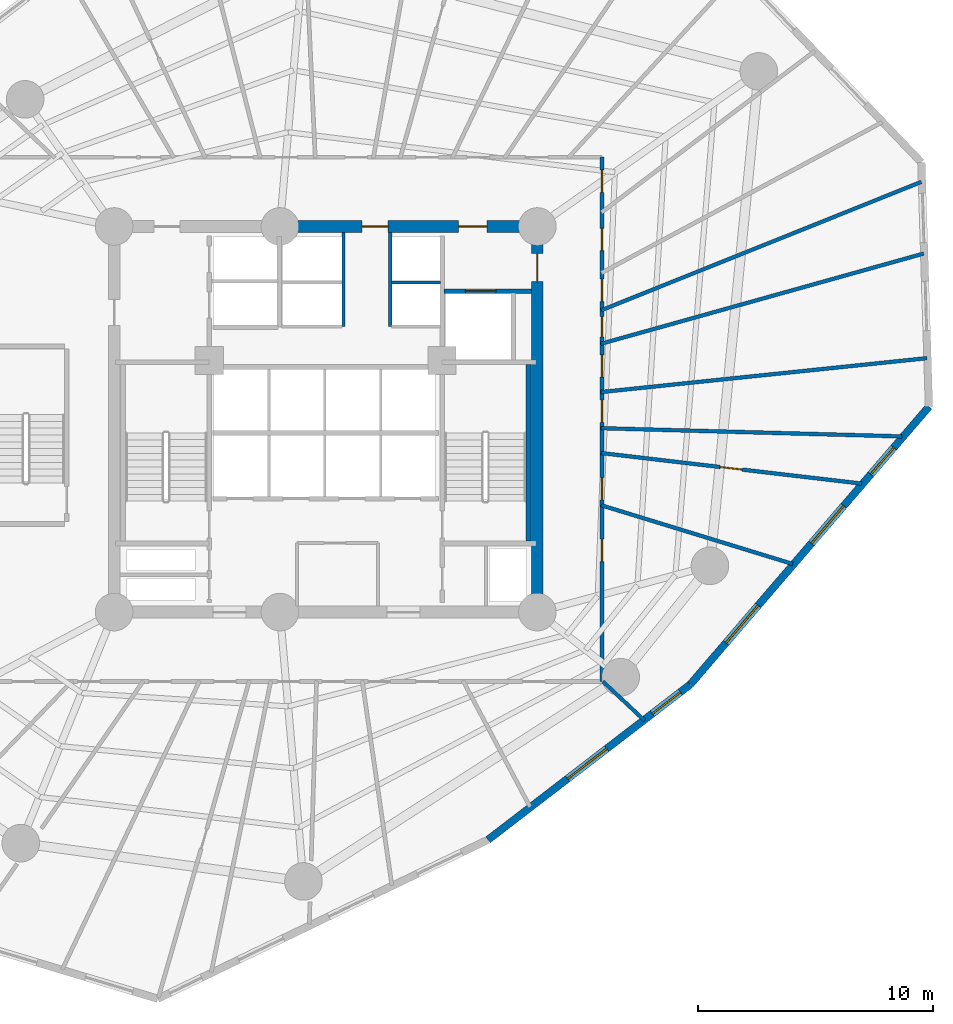
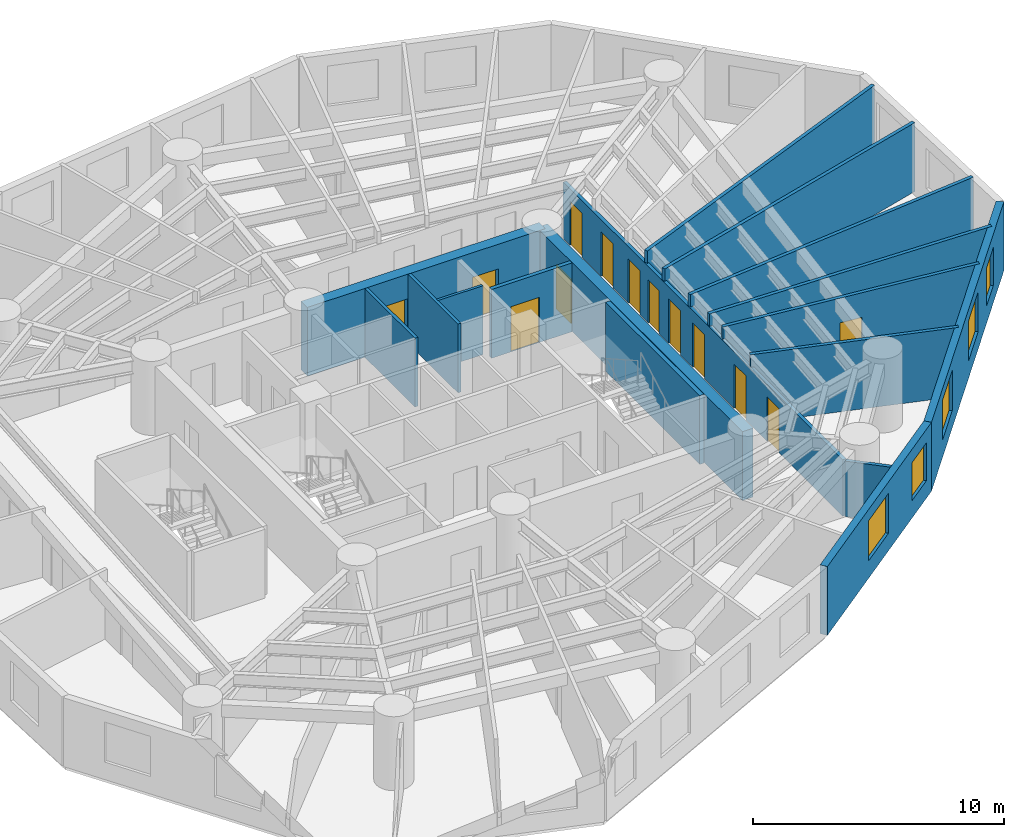
# One storey, part 5 of 8: 17 walls, 13 doors, 5 windows, 18 openings.
"""IFC4 building model written with IfcOpenShell, lengths in metres."""

from ifc_helpers import new_model, si_unit, direction, frame, frame_2d, origin, origin_with_axes, place, context, subcontext, project, spatial, rectangle, extrude, source, transform, mapped, material, layer, layer_set, type_object, element, fill, save


model = new_model("IFC4")

# Units and contexts
model_context = context("Model", 3, precision=1e-05, world=origin(), true_north=direction((0.0, 1.0)))
body_context = subcontext(model_context, "Body", "Model", "MODEL_VIEW")
ifc_project = project(units=[si_unit("LENGTHUNIT", "METRE"), si_unit("AREAUNIT", "SQUARE_METRE"), si_unit("VOLUMEUNIT", "CUBIC_METRE"), si_unit("PLANEANGLEUNIT", "RADIAN"), si_unit("MASSUNIT", "GRAM", prefix="KILO")], contexts=[model_context])

# Site, building, storey
site_placement = place(None, origin())
site = spatial("IfcSite", under=ifc_project, at=site_placement, CompositionType="ELEMENT")
building_placement = place(site_placement, origin())
building = spatial("IfcBuilding", under=site, at=building_placement, Name="Karkom Vertical University and Central Library", CompositionType="ELEMENT")
storey_placement = place(building_placement, frame((0.0, 0.0, 51.699951171875)))
storey = spatial("IfcBuildingStorey", under=building, at=storey_placement, Name="L13", CompositionType="ELEMENT", Elevation=51.699951171875)

# Wall, openings, windows
ifc_material_1 = material(Name="Brick-faced precast concrete C45/55", Category="masonry")
ifc_layer_1 = layer(ifc_material_1, 0.320068359375)
ifc_layer_set_1 = layer_set([ifc_layer_1], Name="Brick-faced precast concrete C45/55")
wall_type_1 = type_object("IfcWallType", Name="ENV-WL-BRK-320", PredefinedType="SOLIDWALL", material=ifc_layer_set_1)
wall_1_placement = place(storey_placement, frame((35.402099609375, 8.61181640625, 0.0), z_axis=(0.0, 0.0, 1.0), x_axis=(0.793135255116, 0.609045537783, 0.0)))
wall_1 = element("IfcWall", 1, at=wall_1_placement, inside=storey, type_object=wall_type_1, Name="Level 13 Brick-Faced Precast Facade Wall 07", PredefinedType="SOLIDWALL", context=body_context, shape_type="SweptSolid", body=[
    extrude(rectangle(XDim=10.84033203125, YDim=0.320068359375, at=frame_2d((5.420166015625, 0.0))), origin(), (0.0, 0.0, 1.0), 3.35009765625),
])
opening_1_placement = place(wall_1_placement, frame((4.267578125, 0.0, 0.85009765625)))
opening_1 = element("IfcOpeningElement", 2, at=opening_1_placement, cuts=wall_1, Name="Opening WN-03", PredefinedType="OPENING", context=body_context, shape_type="SweptSolid", body=[
    extrude(rectangle(XDim=2.10009765625, YDim=1.949951171875, at=frame_2d((1.050048828125, 0.97509765625))), frame((0.0, 0.169921875, 0.0), z_axis=(0.0, -1.0, 0.0), x_axis=(1.0, 0.0, 0.0)), (0.0, 0.0, 1.0), 0.340087890625),
])
opening_2_placement = place(wall_1_placement, frame((8.818359375, 0.0, 0.85009765625)))
opening_2 = element("IfcOpeningElement", 3, at=opening_2_placement, cuts=wall_1, Name="Opening WN-05", PredefinedType="OPENING", context=body_context, shape_type="SweptSolid", body=[
    extrude(rectangle(XDim=1.5, YDim=1.85009765625, at=frame_2d((0.75, 0.925048828125))), frame((0.0, 0.169921875, 0.0), z_axis=(0.0, -1.0, 0.0), x_axis=(1.0, 0.0, 0.0)), (0.0, 0.0, 1.0), 0.340087890625),
])
ifc_material_2 = material(Name="Aluminium thermal-break frame with solar-control IGU", Category="aluminium")
window_type_1 = type_object("IfcWindowType", Name="ENV-WIN-WN-03", PartitioningType="SINGLE_PANEL", PredefinedType="WINDOW", material=ifc_material_2)
shared_shape_1 = source(origin_with_axes(), body_context, "Body", "SweptSolid", [
    extrude(rectangle(XDim=2.10009765625, YDim=1.949951171875, at=frame_2d((1.050048828125, 0.97509765625))), frame((0.0, 0.030029296875, 0.0), z_axis=(0.0, -1.0, 0.0), x_axis=(1.0, 0.0, 0.0)), (0.0, 0.0, 1.0), 0.06005859375),
])
window_1_placement = place(opening_1_placement, origin())
window_1 = element("IfcWindow", 4, at=window_1_placement, inside=storey, type_object=window_type_1, Name="Level 13 Punched Window 7.1", OverallHeight=1.949951171875, OverallWidth=2.10009765625, PartitioningType="SINGLE_PANEL", PredefinedType="WINDOW", context=body_context, shape_type="MappedRepresentation", body=[
    mapped(shared_shape_1, transform((0.0, 0.0, 0.0), scale=1.0)),
])
fill(opening_1, window_1)
window_type_2 = type_object("IfcWindowType", Name="ENV-WIN-WN-05", PartitioningType="SINGLE_PANEL", PredefinedType="WINDOW", material=ifc_material_2)
shared_shape_2 = source(origin_with_axes(), body_context, "Body", "SweptSolid", [
    extrude(rectangle(XDim=1.5, YDim=1.85009765625, at=frame_2d((0.75, 0.925048828125))), frame((0.0, 0.030029296875, 0.0), z_axis=(0.0, -1.0, 0.0), x_axis=(1.0, 0.0, 0.0)), (0.0, 0.0, 1.0), 0.06005859375),
])
window_2_placement = place(opening_2_placement, origin())
window_2 = element("IfcWindow", 5, at=window_2_placement, inside=storey, type_object=window_type_2, Name="Level 13 Punched Window 7.2", OverallHeight=1.85009765625, OverallWidth=1.5, PartitioningType="SINGLE_PANEL", PredefinedType="WINDOW", context=body_context, shape_type="MappedRepresentation", body=[
    mapped(shared_shape_2, transform((0.0, 0.0, 0.0), scale=1.0)),
])
fill(opening_2, window_2)

wall_2_placement = place(storey_placement, frame((44.0, 15.214111328125, 0.0), z_axis=(0.0, 0.0, 1.0), x_axis=(0.651643439816, 0.758525429596, 0.0)))
wall_2 = element("IfcWall", 6, at=wall_2_placement, inside=storey, type_object=wall_type_1, Name="Level 13 Brick-Faced Precast Facade Wall 08", PredefinedType="SOLIDWALL", context=body_context, shape_type="SweptSolid", body=[
    extrude(rectangle(XDim=15.589599609375, YDim=0.320068359375, at=frame_2d((7.794921875, 0.0))), origin(), (0.0, 0.0, 1.0), 3.35009765625),
])
opening_3_placement = place(wall_2_placement, frame((2.341552734375, 0.0, 0.85009765625)))
opening_3 = element("IfcOpeningElement", 7, at=opening_3_placement, cuts=wall_2, Name="Opening WN-03", PredefinedType="OPENING", context=body_context, shape_type="SweptSolid", body=[
    extrude(rectangle(XDim=2.10009765625, YDim=1.949951171875, at=frame_2d((1.050048828125, 0.97509765625))), frame((0.0, 0.169921875, 0.0), z_axis=(0.0, -1.0, 0.0), x_axis=(1.0, 0.0, 0.0)), (0.0, 0.0, 1.0), 0.340087890625),
])
opening_4_placement = place(wall_2_placement, frame((7.921875, 0.0, 0.85009765625)))
opening_4 = element("IfcOpeningElement", 8, at=opening_4_placement, cuts=wall_2, Name="Opening WN-03", PredefinedType="OPENING", context=body_context, shape_type="SweptSolid", body=[
    extrude(rectangle(XDim=2.10009765625, YDim=1.949951171875, at=frame_2d((1.050048828125, 0.97509765625))), frame((0.0, 0.169921875, 0.0), z_axis=(0.0, -1.0, 0.0), x_axis=(1.0, 0.0, 0.0)), (0.0, 0.0, 1.0), 0.340087890625),
])
opening_5_placement = place(wall_2_placement, frame((11.791748046875, 0.0, 0.85009765625)))
opening_5 = element("IfcOpeningElement", 9, at=opening_5_placement, cuts=wall_2, Name="Opening WN-05", PredefinedType="OPENING", context=body_context, shape_type="SweptSolid", body=[
    extrude(rectangle(XDim=1.5, YDim=1.85009765625, at=frame_2d((0.75, 0.925048828125))), frame((0.0, 0.169921875, 0.0), z_axis=(0.0, -1.0, 0.0), x_axis=(1.0, 0.0, 0.0)), (0.0, 0.0, 1.0), 0.340087890625),
])
window_3_placement = place(opening_3_placement, origin())
window_3 = element("IfcWindow", 10, at=window_3_placement, inside=storey, type_object=window_type_1, Name="Level 13 Punched Window 8.1", OverallHeight=1.949951171875, OverallWidth=2.10009765625, PartitioningType="SINGLE_PANEL", PredefinedType="WINDOW", context=body_context, shape_type="MappedRepresentation", body=[
    mapped(shared_shape_1, transform((0.0, 0.0, 0.0), scale=1.0)),
])
fill(opening_3, window_3)
window_4_placement = place(opening_4_placement, origin())
window_4 = element("IfcWindow", 11, at=window_4_placement, inside=storey, type_object=window_type_1, Name="Level 13 Punched Window 8.2", OverallHeight=1.949951171875, OverallWidth=2.10009765625, PartitioningType="SINGLE_PANEL", PredefinedType="WINDOW", context=body_context, shape_type="MappedRepresentation", body=[
    mapped(shared_shape_1, transform((0.0, 0.0, 0.0), scale=1.0)),
])
fill(opening_4, window_4)
window_5_placement = place(opening_5_placement, origin())
window_5 = element("IfcWindow", 12, at=window_5_placement, inside=storey, type_object=window_type_2, Name="Level 13 Punched Window 8.3", OverallHeight=1.85009765625, OverallWidth=1.5, PartitioningType="SINGLE_PANEL", PredefinedType="WINDOW", context=body_context, shape_type="MappedRepresentation", body=[
    mapped(shared_shape_2, transform((0.0, 0.0, 0.0), scale=1.0)),
])
fill(opening_5, window_5)

# Wall, openings, doors
ifc_material_3 = material(Name="Insulated metal-stud drywall 160mm", Category="gypsum")
ifc_layer_2 = layer(ifc_material_3, 0.159912109375)
ifc_layer_set_2 = layer_set([ifc_layer_2], Name="Insulated metal-stud drywall 160mm")
wall_type_2 = type_object("IfcWallType", Name="INT-WL-COR-160", PredefinedType="PARTITIONING", material=ifc_layer_set_2)
wall_3_placement = place(storey_placement, frame((40.25, 37.64990234375, 0.0), z_axis=(0.0, 0.0, 1.0), x_axis=(0.0, -1.0, 0.0)))
wall_3 = element("IfcWall", 13, at=wall_3_placement, inside=storey, type_object=wall_type_2, Name="Level 13 Interior Partition Wall L13-CORW-CW-004", PredefinedType="PARTITIONING", context=body_context, shape_type="SweptSolid", body=[
    extrude(rectangle(XDim=22.2998046875, YDim=0.159912109375, at=frame_2d((11.14990234375, 0.0))), origin(), (0.0, 0.0, 1.0), 2.75),
])
opening_6_placement = place(wall_3_placement, frame((16.25, 0.0, 0.0)))
opening_6 = element("IfcOpeningElement", 14, at=opening_6_placement, cuts=wall_3, Name="Opening D-RM1", PredefinedType="OPENING", context=body_context, shape_type="SweptSolid", body=[
    extrude(rectangle(XDim=0.949951171875, YDim=2.14990234375, at=frame_2d((0.47509765625, 1.074951171875))), frame((0.0, 0.08984375, 0.0), z_axis=(0.0, -1.0, 0.0), x_axis=(1.0, 0.0, 0.0)), (0.0, 0.0, 1.0), 0.179931640625),
])
opening_7_placement = place(wall_3_placement, frame((13.6298828125, 0.0, 0.0)))
opening_7 = element("IfcOpeningElement", 15, at=opening_7_placement, cuts=wall_3, Name="Opening D-RM1", PredefinedType="OPENING", context=body_context, shape_type="SweptSolid", body=[
    extrude(rectangle(XDim=0.949951171875, YDim=2.14990234375, at=frame_2d((0.47509765625, 1.074951171875))), frame((0.0, 0.08984375, 0.0), z_axis=(0.0, -1.0, 0.0), x_axis=(1.0, 0.0, 0.0)), (0.0, 0.0, 1.0), 0.179931640625),
])
opening_8_placement = place(wall_3_placement, frame((10.3349609375, 0.0, 0.0)))
opening_8 = element("IfcOpeningElement", 16, at=opening_8_placement, cuts=wall_3, Name="Opening D-RM1", PredefinedType="OPENING", context=body_context, shape_type="SweptSolid", body=[
    extrude(rectangle(XDim=0.949951171875, YDim=2.14990234375, at=frame_2d((0.47509765625, 1.074951171875))), frame((0.0, 0.08984375, 0.0), z_axis=(0.0, -1.0, 0.0), x_axis=(1.0, 0.0, 0.0)), (0.0, 0.0, 1.0), 0.179931640625),
])
opening_9_placement = place(wall_3_placement, frame((8.40673828125, 0.0, 0.0)))
opening_9 = element("IfcOpeningElement", 17, at=opening_9_placement, cuts=wall_3, Name="Opening D-RM1", PredefinedType="OPENING", context=body_context, shape_type="SweptSolid", body=[
    extrude(rectangle(XDim=0.949951171875, YDim=2.14990234375, at=frame_2d((0.47509765625, 1.074951171875))), frame((0.0, 0.08984375, 0.0), z_axis=(0.0, -1.0, 0.0), x_axis=(1.0, 0.0, 0.0)), (0.0, 0.0, 1.0), 0.179931640625),
])
opening_10_placement = place(wall_3_placement, frame((6.78466796875, 0.0, 0.0)))
opening_10 = element("IfcOpeningElement", 18, at=opening_10_placement, cuts=wall_3, Name="Opening D-BATH", PredefinedType="OPENING", context=body_context, shape_type="SweptSolid", body=[
    extrude(rectangle(XDim=0.860107421875, YDim=2.10009765625, at=frame_2d((0.43017578125, 1.050048828125))), frame((0.0, 0.08984375, 0.0), z_axis=(0.0, -1.0, 0.0), x_axis=(1.0, 0.0, 0.0)), (0.0, 0.0, 1.0), 0.179931640625),
])
opening_11_placement = place(wall_3_placement, frame((5.18994140625, 0.0, 0.0)))
opening_11 = element("IfcOpeningElement", 19, at=opening_11_placement, cuts=wall_3, Name="Opening D-RM1", PredefinedType="OPENING", context=body_context, shape_type="SweptSolid", body=[
    extrude(rectangle(XDim=0.949951171875, YDim=2.14990234375, at=frame_2d((0.47509765625, 1.074951171875))), frame((0.0, 0.08984375, 0.0), z_axis=(0.0, -1.0, 0.0), x_axis=(1.0, 0.0, 0.0)), (0.0, 0.0, 1.0), 0.179931640625),
])
opening_12_placement = place(wall_3_placement, frame((3.028076171875, 0.0, 0.0)))
opening_12 = element("IfcOpeningElement", 20, at=opening_12_placement, cuts=wall_3, Name="Opening D-RM1", PredefinedType="OPENING", context=body_context, shape_type="SweptSolid", body=[
    extrude(rectangle(XDim=0.949951171875, YDim=2.14990234375, at=frame_2d((0.47509765625, 1.074951171875))), frame((0.0, 0.08984375, 0.0), z_axis=(0.0, -1.0, 0.0), x_axis=(1.0, 0.0, 0.0)), (0.0, 0.0, 1.0), 0.179931640625),
])
opening_13_placement = place(wall_3_placement, frame((0.546630859375, 0.0, 0.0)))
opening_13 = element("IfcOpeningElement", 21, at=opening_13_placement, cuts=wall_3, Name="Opening D-RM1", PredefinedType="OPENING", context=body_context, shape_type="SweptSolid", body=[
    extrude(rectangle(XDim=0.949951171875, YDim=2.14990234375, at=frame_2d((0.47509765625, 1.074951171875))), frame((0.0, 0.08984375, 0.0), z_axis=(0.0, -1.0, 0.0), x_axis=(1.0, 0.0, 0.0)), (0.0, 0.0, 1.0), 0.179931640625),
])
ifc_material_4 = material(Name="Moisture-resistant oak door", Category="wood")
door_type_1 = type_object("IfcDoorType", Name="INT-DR-BATH", OperationType="NOTDEFINED", PredefinedType="DOOR", material=ifc_material_4)
shared_shape_3 = source(origin_with_axes(), body_context, "Body", "SweptSolid", [
    extrude(rectangle(XDim=0.860107421875, YDim=2.10009765625, at=frame_2d((0.43017578125, 1.050048828125))), frame((0.0, 0.02490234375, 0.0), z_axis=(0.0, -1.0, 0.0), x_axis=(1.0, 0.0, 0.0)), (0.0, 0.0, 1.0), 0.050048828125),
])
door_1_placement = place(opening_10_placement, origin())
door_1 = element("IfcDoor", 22, at=door_1_placement, inside=storey, type_object=door_type_1, Name="Level 13 Room Entry Door 160", OperationType="SINGLE_SWING_RIGHT", OverallHeight=2.10009765625, OverallWidth=0.860107421875, PredefinedType="DOOR", context=body_context, shape_type="MappedRepresentation", body=[
    mapped(shared_shape_3, transform((0.0, 0.0, 0.0), scale=1.0)),
])
fill(opening_10, door_1)
ifc_material_5 = material(Name="Solid-core oak veneer door", Category="wood")
door_type_2 = type_object("IfcDoorType", Name="INT-DR-RM1", OperationType="NOTDEFINED", PredefinedType="DOOR", material=ifc_material_5)
shared_shape_4 = source(origin_with_axes(), body_context, "Body", "SweptSolid", [
    extrude(rectangle(XDim=0.949951171875, YDim=2.14990234375, at=frame_2d((0.47509765625, 1.074951171875))), frame((0.0, 0.02490234375, 0.0), z_axis=(0.0, -1.0, 0.0), x_axis=(1.0, 0.0, 0.0)), (0.0, 0.0, 1.0), 0.050048828125),
])
door_2_placement = place(opening_6_placement, origin())
door_2 = element("IfcDoor", 23, at=door_2_placement, inside=storey, type_object=door_type_2, Name="Level 13 Room Entry Door 110", OperationType="SINGLE_SWING_RIGHT", OverallHeight=2.14990234375, OverallWidth=0.949951171875, PredefinedType="DOOR", context=body_context, shape_type="MappedRepresentation", body=[
    mapped(shared_shape_4, transform((0.0, 0.0, 0.0), scale=1.0)),
])
fill(opening_6, door_2)
door_3_placement = place(opening_7_placement, origin())
door_3 = element("IfcDoor", 24, at=door_3_placement, inside=storey, type_object=door_type_2, Name="Level 13 Room Entry Door 120", OperationType="SINGLE_SWING_LEFT", OverallHeight=2.14990234375, OverallWidth=0.949951171875, PredefinedType="DOOR", context=body_context, shape_type="MappedRepresentation", body=[
    mapped(shared_shape_4, transform((0.0, 0.0, 0.0), scale=1.0)),
])
fill(opening_7, door_3)
door_4_placement = place(opening_8_placement, origin())
door_4 = element("IfcDoor", 25, at=door_4_placement, inside=storey, type_object=door_type_2, Name="Level 13 Room Entry Door 140", OperationType="SINGLE_SWING_RIGHT", OverallHeight=2.14990234375, OverallWidth=0.949951171875, PredefinedType="DOOR", context=body_context, shape_type="MappedRepresentation", body=[
    mapped(shared_shape_4, transform((0.0, 0.0, 0.0), scale=1.0)),
])
fill(opening_8, door_4)
door_5_placement = place(opening_9_placement, origin())
door_5 = element("IfcDoor", 26, at=door_5_placement, inside=storey, type_object=door_type_2, Name="Level 13 Room Entry Door 150", OperationType="SINGLE_SWING_LEFT", OverallHeight=2.14990234375, OverallWidth=0.949951171875, PredefinedType="DOOR", context=body_context, shape_type="MappedRepresentation", body=[
    mapped(shared_shape_4, transform((0.0, 0.0, 0.0), scale=1.0)),
])
fill(opening_9, door_5)
door_6_placement = place(opening_11_placement, origin())
door_6 = element("IfcDoor", 27, at=door_6_placement, inside=storey, type_object=door_type_2, Name="Level 13 Room Entry Door 170", OperationType="SINGLE_SWING_LEFT", OverallHeight=2.14990234375, OverallWidth=0.949951171875, PredefinedType="DOOR", context=body_context, shape_type="MappedRepresentation", body=[
    mapped(shared_shape_4, transform((0.0, 0.0, 0.0), scale=1.0)),
])
fill(opening_11, door_6)
door_7_placement = place(opening_12_placement, origin())
door_7 = element("IfcDoor", 28, at=door_7_placement, inside=storey, type_object=door_type_2, Name="Level 13 Room Entry Door 180", OperationType="SINGLE_SWING_RIGHT", OverallHeight=2.14990234375, OverallWidth=0.949951171875, PredefinedType="DOOR", context=body_context, shape_type="MappedRepresentation", body=[
    mapped(shared_shape_4, transform((0.0, 0.0, 0.0), scale=1.0)),
])
fill(opening_12, door_7)
door_8_placement = place(opening_13_placement, origin())
door_8 = element("IfcDoor", 29, at=door_8_placement, inside=storey, type_object=door_type_2, Name="Level 13 Room Entry Door 190", OperationType="SINGLE_SWING_LEFT", OverallHeight=2.14990234375, OverallWidth=0.949951171875, PredefinedType="DOOR", context=body_context, shape_type="MappedRepresentation", body=[
    mapped(shared_shape_4, transform((0.0, 0.0, 0.0), scale=1.0)),
])
fill(opening_13, door_8)

# Walls
wall_4_placement = place(storey_placement, frame((40.22216796875, 31.1376953125, 0.0), z_axis=(0.0, 0.0, 1.0), x_axis=(0.928112316869, 0.372300318663, 0.0)))
element("IfcWall", 30, at=wall_4_placement, inside=storey, type_object=wall_type_2, Name="Level 13 Interior Partition Wall L13-PW-022", PredefinedType="PARTITIONING", context=body_context, shape_type="SweptSolid", body=[
    extrude(rectangle(XDim=14.666015625, YDim=0.159912109375, at=frame_2d((7.3330078125, 0.0))), origin(), (0.0, 0.0, 1.0), 3.35009765625),
])
wall_5_placement = place(storey_placement, frame((40.206787109375, 29.7109375, 0.0), z_axis=(0.0, 0.0, 1.0), x_axis=(0.963063420454, 0.26927467052, 0.0)))
element("IfcWall", 31, at=wall_5_placement, inside=storey, type_object=wall_type_2, Name="Level 13 Interior Partition Wall L13-PW-021", PredefinedType="PARTITIONING", context=body_context, shape_type="SweptSolid", body=[
    extrude(rectangle(XDim=14.25, YDim=0.159912109375, at=frame_2d((7.125, 0.0))), origin(), (0.0, 0.0, 1.0), 3.35009765625),
])
wall_6_placement = place(storey_placement, frame((40.205322265625, 27.6572265625, 0.0), z_axis=(0.0, 0.0, 1.0), x_axis=(0.994632161821, 0.103473970982, 0.0)))
element("IfcWall", 32, at=wall_6_placement, inside=storey, type_object=wall_type_2, Name="Level 13 Interior Partition Wall L13-PW-020", PredefinedType="PARTITIONING", context=body_context, shape_type="SweptSolid", body=[
    extrude(rectangle(XDim=13.939453125, YDim=0.159912109375, at=frame_2d((6.9697265625, 0.0))), origin(), (0.0, 0.0, 1.0), 3.35009765625),
])
wall_7_placement = place(storey_placement, frame((40.205078125, 26.12109375, 0.0), z_axis=(0.0, 0.0, 1.0), x_axis=(0.999628476372, -0.027256361223, 0.0)))
element("IfcWall", 33, at=wall_7_placement, inside=storey, type_object=wall_type_2, Name="Level 13 Interior Partition Wall L13-PW-019", PredefinedType="PARTITIONING", context=body_context, shape_type="SweptSolid", body=[
    extrude(rectangle(XDim=12.81787109375, YDim=0.159912109375, at=frame_2d((6.408935546875, 0.0))), origin(), (0.0, 0.0, 1.0), 3.35009765625),
])

# Wall, opening, door
wall_8_placement = place(storey_placement, frame((40.22021484375, 25.06396484375, 0.0), z_axis=(0.0, 0.0, 1.0), x_axis=(0.993180753611, -0.116584693065, 0.0)))
wall_8 = element("IfcWall", 34, at=wall_8_placement, inside=storey, type_object=wall_type_2, Name="Level 13 Interior Partition Wall L13-PW-018", PredefinedType="PARTITIONING", context=body_context, shape_type="SweptSolid", body=[
    extrude(rectangle(XDim=11.1533203125, YDim=0.159912109375, at=frame_2d((5.57666015625, 0.0))), origin(), (0.0, 0.0, 1.0), 3.35009765625),
])
opening_14_placement = place(wall_8_placement, frame((5.083984375, 0.0, 0.0)))
opening_14 = element("IfcOpeningElement", 35, at=opening_14_placement, cuts=wall_8, Name="Opening D-RM1", PredefinedType="OPENING", context=body_context, shape_type="SweptSolid", body=[
    extrude(rectangle(XDim=0.949951171875, YDim=2.14990234375, at=frame_2d((0.47509765625, 1.074951171875))), frame((0.0, 0.08984375, 0.0), z_axis=(0.0, -1.0, 0.0), x_axis=(1.0, 0.0, 0.0)), (0.0, 0.0, 1.0), 0.179931640625),
])
door_9_placement = place(opening_14_placement, origin())
door_9 = element("IfcDoor", 36, at=door_9_placement, inside=storey, type_object=door_type_2, Name="Level 13 Room Entry Door 130", OperationType="SINGLE_SWING_RIGHT", OverallHeight=2.14990234375, OverallWidth=0.949951171875, PredefinedType="DOOR", context=body_context, shape_type="MappedRepresentation", body=[
    mapped(shared_shape_4, transform((0.0, 0.0, 0.0), scale=1.0)),
])
fill(opening_14, door_9)

# Walls
wall_9_placement = place(storey_placement, frame((40.22119140625, 22.842529296875, 0.0), z_axis=(0.0, 0.0, 1.0), x_axis=(0.9560481039, -0.293209861752, 0.0)))
element("IfcWall", 37, at=wall_9_placement, inside=storey, type_object=wall_type_2, Name="Level 13 Interior Partition Wall L13-PW-017", PredefinedType="PARTITIONING", context=body_context, shape_type="SweptSolid", body=[
    extrude(rectangle(XDim=8.5205078125, YDim=0.159912109375, at=frame_2d((4.26025390625, 0.0))), origin(), (0.0, 0.0, 1.0), 3.35009765625),
])
wall_10_placement = place(storey_placement, frame((40.2919921875, 15.3466796875, 0.0), z_axis=(0.0, 0.0, 1.0), x_axis=(0.728974521572, -0.684540829241, 0.0)))
element("IfcWall", 38, at=wall_10_placement, inside=storey, type_object=wall_type_2, Name="Level 13 Interior Partition Wall L13-PW-016", PredefinedType="PARTITIONING", context=body_context, shape_type="SweptSolid", body=[
    extrude(rectangle(XDim=2.423095703125, YDim=0.159912109375, at=frame_2d((1.21142578125, 0.0))), origin(), (0.0, 0.0, 1.0), 2.699951171875),
])
ifc_material_6 = material(Name="Moisture-resistant drywall 120mm", Category="gypsum")
ifc_layer_3 = layer(ifc_material_6, 0.1201171875)
ifc_layer_set_3 = layer_set([ifc_layer_3], Name="Moisture-resistant drywall 120mm")
wall_type_3 = type_object("IfcWallType", Name="INT-WL-INT-120H", PredefinedType="PARTITIONING", material=ifc_layer_set_3)
wall_11_placement = place(storey_placement, frame((31.300048828125, 32.320068359375, 0.0), z_axis=(0.0, 0.0, 1.0), x_axis=(1.0, 0.0, 0.0)))
element("IfcWall", 39, at=wall_11_placement, inside=storey, type_object=wall_type_3, Name="Level 13 Interior Partition Wall L13-CW-PH-ME", PredefinedType="PARTITIONING", context=body_context, shape_type="SweptSolid", body=[
    extrude(rectangle(XDim=2.074951171875, YDim=0.1201171875, at=frame_2d((1.03759765625, 0.0))), origin(), (0.0, 0.0, 1.0), 3.35009765625),
])
ifc_material_7 = material(Name="Metal-stud gypsum partition 140mm", Category="gypsum")
ifc_layer_4 = layer(ifc_material_7, 0.139892578125)
ifc_layer_set_4 = layer_set([ifc_layer_4], Name="Metal-stud gypsum partition 140mm")
wall_type_4 = type_object("IfcWallType", Name="INT-WL-SUB-140H", PredefinedType="PARTITIONING", material=ifc_layer_set_4)
for number, where, z_axis, x_axis, name in (
    (40, (29.260009765625, 30.449951171875, 0.0), (0.0, 0.0, 1.0), (0.0, 1.0, 0.0), "Level 13 Interior Partition Wall L13-CW-PH-W"),
    (41, (31.239990234375, 30.449951171875, 0.0), (0.0, 0.0, 1.0), (0.0, 1.0, 0.0), "Level 13 Interior Partition Wall L13-CW-PH-E"),
):
    element("IfcWall", number, at=place(storey_placement, frame(where, z_axis=z_axis, x_axis=x_axis)), inside=storey, type_object=wall_type_4, Name=name, PredefinedType="PARTITIONING", context=body_context, shape_type="SweptSolid", body=[
        extrude(rectangle(XDim=3.9931640625, YDim=0.139892578125, at=frame_2d((1.99658203125, 0.0))), origin(), (0.0, 0.0, 1.0), 3.35009765625),
    ])

# Wall, opening, door
ifc_material_8 = material(Name="Twin-stud acoustic drywall 180mm", Category="gypsum")
ifc_layer_5 = layer(ifc_material_8, 0.179931640625)
ifc_layer_set_5 = layer_set([ifc_layer_5], Name="Twin-stud acoustic drywall 180mm")
wall_type_5 = type_object("IfcWallType", Name="INT-WL-TEN-180F", PredefinedType="PARTITIONING", material=ifc_layer_set_5)
wall_12_placement = place(storey_placement, frame((33.534912109375, 31.949951171875, 0.0), z_axis=(0.0, 0.0, 1.0), x_axis=(1.0, 0.0, 0.0)))
wall_12 = element("IfcWall", 42, at=wall_12_placement, inside=storey, type_object=wall_type_5, Name="Level 13 Interior Partition Wall L13-CW-SVL-N", PredefinedType="PARTITIONING", context=body_context, shape_type="SweptSolid", body=[
    extrude(rectangle(XDim=3.708740234375, YDim=0.179931640625, at=frame_2d((1.8544921875, 0.0))), origin(), (0.0, 0.0, 1.0), 3.35009765625),
])
opening_15_placement = place(wall_12_placement, frame((0.89990234375, 0.0, 0.0)))
opening_15 = element("IfcOpeningElement", 43, at=opening_15_placement, cuts=wall_12, Name="Opening LD-SV1", PredefinedType="OPENING", context=body_context, shape_type="SweptSolid", body=[
    extrude(rectangle(XDim=1.300048828125, YDim=2.199951171875, at=frame_2d((0.64990234375, 1.10009765625))), frame((0.0, 0.10009765625, 0.0), z_axis=(0.0, -1.0, 0.0), x_axis=(1.0, 0.0, 0.0)), (0.0, 0.0, 1.0), 0.199951171875),
])
ifc_material_9 = material(Name="Brushed stainless-steel landing door", Category="steel")
door_type_3 = type_object("IfcDoorType", Name="INT-DR-LD-SV1", OperationType="SLIDING_TO_LEFT", PredefinedType="DOOR", material=ifc_material_9)
shared_shape_5 = source(origin_with_axes(), body_context, "Body", "SweptSolid", [
    extrude(rectangle(XDim=1.300048828125, YDim=2.199951171875, at=frame_2d((0.64990234375, 1.10009765625))), frame((0.0, 0.02490234375, 0.0), z_axis=(0.0, -1.0, 0.0), x_axis=(1.0, 0.0, 0.0)), (0.0, 0.0, 1.0), 0.050048828125),
])
door_10_placement = place(opening_15_placement, origin())
door_10 = element("IfcDoor", 44, at=door_10_placement, inside=storey, type_object=door_type_3, Name="Level 13 Service Lift Landing Door LD-SV1", OperationType="SLIDING_TO_LEFT", OverallHeight=2.199951171875, OverallWidth=1.300048828125, PredefinedType="DOOR", context=body_context, shape_type="MappedRepresentation", body=[
    mapped(shared_shape_5, transform((0.0, 0.0, 0.0), scale=1.0)),
])
fill(opening_15, door_10)

ifc_material_10 = material(Name="Concrete C50/60", Category="concrete")
ifc_layer_6 = layer(ifc_material_10, 0.5)
ifc_layer_set_6 = layer_set([ifc_layer_6], Name="Concrete C50/60")
wall_type_6 = type_object("IfcWallType", Name="STR-WL-CW-500", PredefinedType="SHEAR", material=ifc_layer_set_6)
wall_13_placement = place(storey_placement, frame((37.5, 18.300048828125, 0.0), z_axis=(0.0, 0.0, 1.0), x_axis=(0.0, 1.0, 0.0)))
wall_13 = element("IfcWall", 45, at=wall_13_placement, inside=storey, type_object=wall_type_6, Name="Level 13 Central Core Shear Wall EW", PredefinedType="SHEAR", context=body_context, shape_type="SweptSolid", body=[
    extrude(rectangle(XDim=16.39990234375, YDim=0.5, at=frame_2d((8.199951171875, 0.0))), origin(), (0.0, 0.0, 1.0), 3.35009765625),
])
opening_16_placement = place(wall_13_placement, frame((14.06005859375, 0.0, 0.0)))
opening_16 = element("IfcOpeningElement", 46, at=opening_16_placement, cuts=wall_13, Name="Opening FD-SUB1", PredefinedType="OPENING", context=body_context, shape_type="SweptSolid", body=[
    extrude(rectangle(XDim=1.199951171875, YDim=2.14990234375, at=frame_2d((0.60009765625, 1.074951171875))), frame((0.0, 0.260009765625, 0.0), z_axis=(0.0, -1.0, 0.0), x_axis=(1.0, 0.0, 0.0)), (0.0, 0.0, 1.0), 0.52001953125),
])
ifc_material_11 = material(Name="Painted steel fire door", Category="steel")
door_type_4 = type_object("IfcDoorType", Name="INT-DR-SUB1", OperationType="NOTDEFINED", PredefinedType="DOOR", material=ifc_material_11)
shared_shape_6 = source(origin_with_axes(), body_context, "Body", "SweptSolid", [
    extrude(rectangle(XDim=1.199951171875, YDim=2.14990234375, at=frame_2d((0.60009765625, 1.074951171875))), frame((0.0, 0.02490234375, 0.0), z_axis=(0.0, -1.0, 0.0), x_axis=(1.0, 0.0, 0.0)), (0.0, 0.0, 1.0), 0.050048828125),
])
door_11_placement = place(opening_16_placement, origin())
door_11 = element("IfcDoor", 47, at=door_11_placement, inside=storey, type_object=door_type_4, Name="Level 13 East Corridor Service Lobby Door", OperationType="SINGLE_SWING_LEFT", OverallHeight=2.14990234375, OverallWidth=1.199951171875, PredefinedType="DOOR", context=body_context, shape_type="MappedRepresentation", body=[
    mapped(shared_shape_6, transform((0.0, 0.0, 0.0), scale=1.0)),
])
fill(opening_16, door_11)

# Wall, openings, doors
wall_14_placement = place(storey_placement, frame((37.5, 34.699951171875, 0.0), z_axis=(0.0, 0.0, 1.0), x_axis=(-1.0, 0.0, 0.0)))
wall_14 = element("IfcWall", 48, at=wall_14_placement, inside=storey, type_object=wall_type_6, Name="Level 13 Central Core Shear Wall NW1", PredefinedType="SHEAR", context=body_context, shape_type="SweptSolid", body=[
    extrude(rectangle(XDim=10.949951171875, YDim=0.5, at=frame_2d((5.47509765625, 0.0))), origin(), (0.0, 0.0, 1.0), 3.35009765625),
])
opening_17_placement = place(wall_14_placement, frame((2.14990234375, 0.0, 0.0)))
opening_17 = element("IfcOpeningElement", 49, at=opening_17_placement, cuts=wall_14, Name="Opening FD-SUB1", PredefinedType="OPENING", context=body_context, shape_type="SweptSolid", body=[
    extrude(rectangle(XDim=1.199951171875, YDim=2.14990234375, at=frame_2d((0.60009765625, 1.074951171875))), frame((0.0, 0.260009765625, 0.0), z_axis=(0.0, -1.0, 0.0), x_axis=(1.0, 0.0, 0.0)), (0.0, 0.0, 1.0), 0.52001953125),
])
opening_18_placement = place(wall_14_placement, frame((6.35009765625, 0.0, 0.0)))
opening_18 = element("IfcOpeningElement", 50, at=opening_18_placement, cuts=wall_14, Name="Opening FD-FFL", PredefinedType="OPENING", context=body_context, shape_type="SweptSolid", body=[
    extrude(rectangle(XDim=1.10009765625, YDim=2.14990234375, at=frame_2d((0.550048828125, 1.074951171875))), frame((0.0, 0.260009765625, 0.0), z_axis=(0.0, -1.0, 0.0), x_axis=(1.0, 0.0, 0.0)), (0.0, 0.0, 1.0), 0.52001953125),
])
ifc_material_12 = material(Name="Painted steel smoke-seal fire door", Category="steel")
door_type_5 = type_object("IfcDoorType", Name="INT-DR-FFL", OperationType="NOTDEFINED", PredefinedType="DOOR", material=ifc_material_12)
shared_shape_7 = source(origin_with_axes(), body_context, "Body", "SweptSolid", [
    extrude(rectangle(XDim=1.10009765625, YDim=2.14990234375, at=frame_2d((0.550048828125, 1.074951171875))), frame((0.0, 0.02490234375, 0.0), z_axis=(0.0, -1.0, 0.0), x_axis=(1.0, 0.0, 0.0)), (0.0, 0.0, 1.0), 0.050048828125),
])
door_12_placement = place(opening_18_placement, origin())
door_12 = element("IfcDoor", 51, at=door_12_placement, inside=storey, type_object=door_type_5, Name="Level 13 North Core Lobby Exit Door", OperationType="SINGLE_SWING_LEFT", OverallHeight=2.14990234375, OverallWidth=1.10009765625, PredefinedType="DOOR", context=body_context, shape_type="MappedRepresentation", body=[
    mapped(shared_shape_7, transform((0.0, 0.0, 0.0), scale=1.0)),
])
fill(opening_18, door_12)
door_13_placement = place(opening_17_placement, origin())
door_13 = element("IfcDoor", 52, at=door_13_placement, inside=storey, type_object=door_type_4, Name="Level 13 Service Lobby Fire Door", OperationType="SINGLE_SWING_RIGHT", OverallHeight=2.14990234375, OverallWidth=1.199951171875, PredefinedType="DOOR", context=body_context, shape_type="MappedRepresentation", body=[
    mapped(shared_shape_6, transform((0.0, 0.0, 0.0), scale=1.0)),
])
fill(opening_17, door_13)

# Wall
ifc_material_13 = material(Name="Concrete C45/55", Category="concrete")
ifc_layer_7 = layer(ifc_material_13, 0.199951171875)
ifc_layer_set_7 = layer_set([ifc_layer_7], Name="Concrete C45/55")
wall_type_7 = type_object("IfcWallType", Name="STR-WL-ST-200", PredefinedType="SHEAR", material=ifc_layer_set_7)
wall_15_placement = place(storey_placement, frame((37.125, 21.320068359375, 0.0), z_axis=(0.0, 0.0, 1.0), x_axis=(0.0, 1.0, 0.0)))
element("IfcWall", 53, at=wall_15_placement, inside=storey, type_object=wall_type_7, Name="Level 13 Core Shaft Wall L13-CW-ST2-E", PredefinedType="SHEAR", context=body_context, shape_type="SweptSolid", body=[
    extrude(rectangle(XDim=7.5, YDim=0.199951171875, at=frame_2d((3.75, 0.0))), origin(), (0.0, 0.0, 1.0), 3.35009765625),
])

save(model, "model.ifc")
